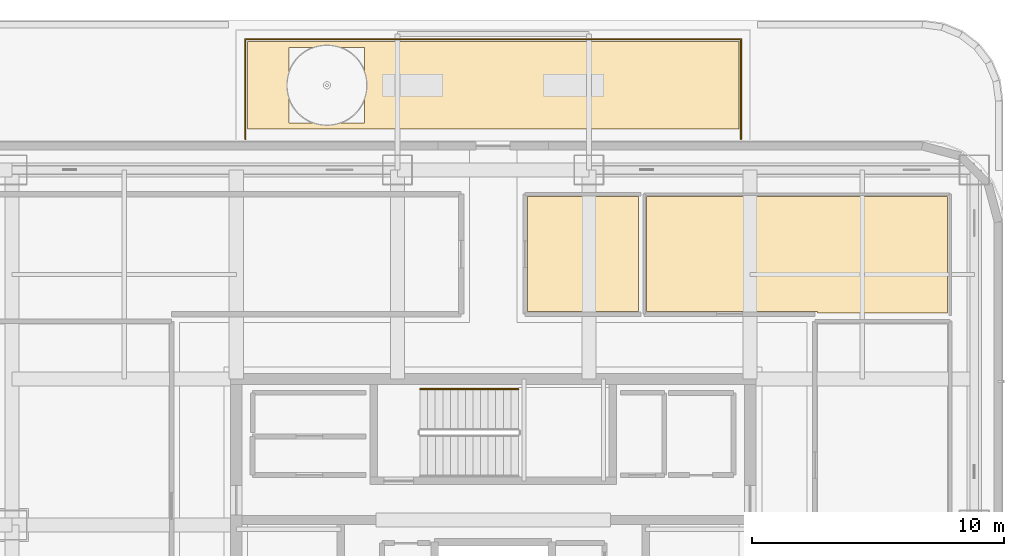
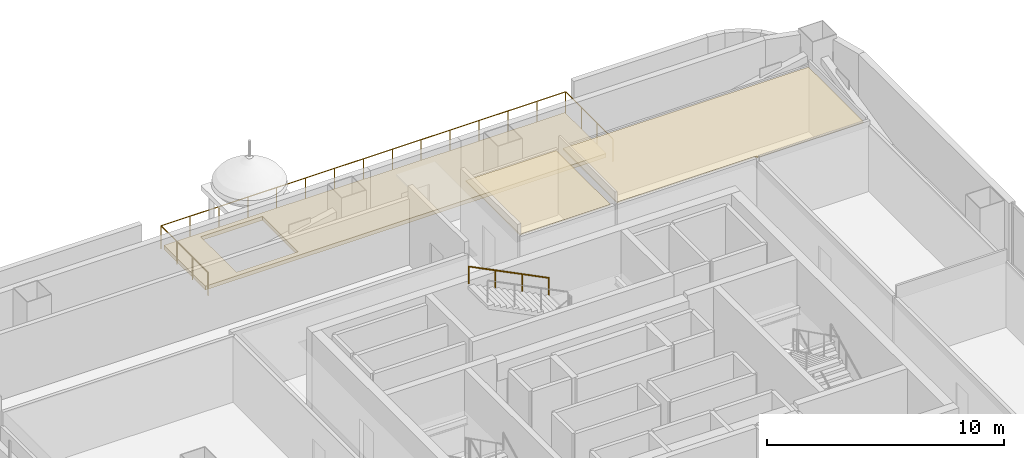
# One storey, part 27 of 28: 3 coverings, 2 railings.
"""IFC4 building model written with IfcOpenShell, lengths in metres."""

from ifc_helpers import new_model, si_unit, direction, frame, origin, origin_2d, place, context, subcontext, project, spatial, polyline, circle, outline, extrude, material, layer, layer_set, type_object, element, save


model = new_model("IFC4")

# Units and contexts
model_context = context("Model", 3, precision=1e-05, world=origin(), true_north=direction((0.0, 1.0)))
body_context = subcontext(model_context, "Body", "Model", "MODEL_VIEW")
ifc_project = project(units=[si_unit("LENGTHUNIT", "METRE"), si_unit("AREAUNIT", "SQUARE_METRE"), si_unit("VOLUMEUNIT", "CUBIC_METRE"), si_unit("PLANEANGLEUNIT", "RADIAN"), si_unit("MASSUNIT", "GRAM", prefix="KILO")], contexts=[model_context])

# Site, building, storey
site_placement = place(None, origin())
site = spatial("IfcSite", under=ifc_project, at=site_placement, CompositionType="ELEMENT")
building_placement = place(site_placement, origin())
building = spatial("IfcBuilding", under=site, at=building_placement, Name="Punatoya Terracotta Tower", CompositionType="ELEMENT")
storey_placement = place(building_placement, frame((0.0, 0.0, 317.39990234375)))
storey = spatial("IfcBuildingStorey", under=building, at=storey_placement, Name="L75", CompositionType="ELEMENT", Elevation=317.39990234375)

# Coverings
ifc_material_1 = material(Name="Acoustic Mineral Fibre Ceiling")
ifc_layer_1 = layer(ifc_material_1, 0.06005859375)
ifc_layer_set_1 = layer_set([ifc_layer_1], Name="Acoustic Mineral Fibre Ceiling")
covering_type_1 = type_object("IfcCoveringType", Name="COV-CEIL-60", PredefinedType="CEILING", material=ifc_layer_set_1)
covering_1_placement = place(storey_placement, frame((0.0, 0.0, 3.31005859375)))
element("IfcCovering", 1, at=covering_1_placement, inside=storey, type_object=covering_type_1, Name="L75 Editorial Conference Room Acoustic Ceiling", PredefinedType="CEILING", context=body_context, shape_type="SweptSolid", body=[
    extrude(outline(polyline([(6.093994140625, 11.8701171875), (12.8701171875, 11.8701171875), (12.8701171875, 11.81005859375), (18.0400390625, 11.81005859375), (18.0400390625, 16.43994140625), (6.093994140625, 16.43994140625), (6.093994140625, 11.8701171875)])), origin(), (0.0, 0.0, 1.0), 0.06005859375),
])
covering_2_placement = place(storey_placement, frame((0.0, 0.0, 3.31005859375)))
element("IfcCovering", 2, at=covering_2_placement, inside=storey, type_object=covering_type_1, Name="L75 Client Briefing Office Acoustic Ceiling", PredefinedType="CEILING", context=body_context, shape_type="SweptSolid", body=[
    extrude(outline(polyline([(1.3701171875, 11.8701171875), (5.77392578125, 11.8701171875), (5.77392578125, 16.43994140625), (1.3701171875, 16.43994140625), (1.3701171875, 11.8701171875)])), origin(), (0.0, 0.0, 1.0), 0.06005859375),
])
ifc_material_2 = material(Name="Green Roof Planting Soil Medium")
ifc_layer_2 = layer(ifc_material_2, 0.35009765625)
ifc_layer_set_2 = layer_set([ifc_layer_2], Name="Green Roof Planting Soil Medium")
covering_type_2 = type_object("IfcCoveringType", Name="COV-TER-350", PredefinedType="ROOFING", material=ifc_layer_set_2)
covering_3_placement = place(storey_placement, origin())
element("IfcCovering", 3, at=covering_3_placement, inside=storey, type_object=covering_type_2, Name="L75 L75 Spiralling Sky Terrace Planted Soil Bed", PredefinedType="ROOFING", context=body_context, shape_type="SweptSolid", body=[
    extrude(outline(polyline([(9.75, 22.60009765625), (9.75, 19.1201171875), (-9.75, 19.1201171875), (-9.75, 22.60009765625), (9.75, 22.60009765625)]), holes=[polyline([(-5.10009765625, 22.360107421875), (-8.10009765625, 22.360107421875), (-8.10009765625, 19.360107421875), (-5.10009765625, 19.360107421875), (-5.10009765625, 22.360107421875)])]), origin(), (0.0, 0.0, 1.0), 0.2001953125),
])

# Railings
ifc_material_3 = material(Name="Steel S355", Category="steel")
railing_type_1 = type_object("IfcRailingType", Name="RLG-BAL-1200", PredefinedType="BALUSTRADE", material=ifc_material_3)
railing_1_placement = place(storey_placement, frame((-9.840087890625, 18.719970703125, 0.0)))
element("IfcRailing", 4, at=railing_1_placement, inside=storey, type_object=railing_type_1, Name="L75 L75 Spiralling Sky Terrace Guardrail", PredefinedType="BALUSTRADE", context=body_context, shape_type="SweptSolid", body=[
    extrude(circle(Radius=0.02392578125, at=origin_2d()), frame((0.0, 0.0, 1.17578125), z_axis=(0.0, 1.0, 0.0), x_axis=(-1.0, 0.0, 0.0)), (0.0, 0.0, 1.0), 3.969970703125),
    extrude(circle(Radius=0.02392578125, at=origin_2d()), frame((0.0, 3.969970703125, 1.17578125), z_axis=(1.0, 0.0, 0.0), x_axis=(0.0, 1.0, 0.0)), (0.0, 0.0, 1.0), 19.68017578125),
    extrude(circle(Radius=0.02392578125, at=origin_2d()), frame((19.68017578125, 3.969970703125, 1.17578125), z_axis=(0.0, -1.0, 0.0), x_axis=(1.0, 0.0, 0.0)), (0.0, 0.0, 1.0), 3.969970703125),
    extrude(circle(Radius=0.02099609375, at=origin_2d()), origin(), (0.0, 0.0, 1.0), 1.15185546875),
    extrude(circle(Radius=0.02099609375, at=origin_2d()), frame((0.0, 1.3232421875, 0.0)), (0.0, 0.0, 1.0), 1.15185546875),
    extrude(circle(Radius=0.02099609375, at=origin_2d()), frame((0.0, 2.646728515625, 0.0)), (0.0, 0.0, 1.0), 1.15185546875),
    extrude(circle(Radius=0.02099609375, at=origin_2d()), frame((0.0, 3.969970703125, 0.0)), (0.0, 0.0, 1.0), 1.15185546875),
    extrude(circle(Radius=0.02099609375, at=origin_2d()), frame((1.40576171875, 3.969970703125, 0.0)), (0.0, 0.0, 1.0), 1.15185546875),
    extrude(circle(Radius=0.02099609375, at=origin_2d()), frame((2.8115234375, 3.969970703125, 0.0)), (0.0, 0.0, 1.0), 1.15185546875),
    extrude(circle(Radius=0.02099609375, at=origin_2d()), frame((4.21728515625, 3.969970703125, 0.0)), (0.0, 0.0, 1.0), 1.15185546875),
    extrude(circle(Radius=0.02099609375, at=origin_2d()), frame((5.622802734375, 3.969970703125, 0.0)), (0.0, 0.0, 1.0), 1.15185546875),
    extrude(circle(Radius=0.02099609375, at=origin_2d()), frame((7.028564453125, 3.969970703125, 0.0)), (0.0, 0.0, 1.0), 1.15185546875),
    extrude(circle(Radius=0.02099609375, at=origin_2d()), frame((8.434326171875, 3.969970703125, 0.0)), (0.0, 0.0, 1.0), 1.15185546875),
    extrude(circle(Radius=0.02099609375, at=origin_2d()), frame((9.840087890625, 3.969970703125, 0.0)), (0.0, 0.0, 1.0), 1.15185546875),
    extrude(circle(Radius=0.02099609375, at=origin_2d()), frame((11.245849609375, 3.969970703125, 0.0)), (0.0, 0.0, 1.0), 1.15185546875),
    extrude(circle(Radius=0.02099609375, at=origin_2d()), frame((12.651611328125, 3.969970703125, 0.0)), (0.0, 0.0, 1.0), 1.15185546875),
    extrude(circle(Radius=0.02099609375, at=origin_2d()), frame((14.057373046875, 3.969970703125, 0.0)), (0.0, 0.0, 1.0), 1.15185546875),
    extrude(circle(Radius=0.02099609375, at=origin_2d()), frame((15.462890625, 3.969970703125, 0.0)), (0.0, 0.0, 1.0), 1.15185546875),
    extrude(circle(Radius=0.02099609375, at=origin_2d()), frame((16.86865234375, 3.969970703125, 0.0)), (0.0, 0.0, 1.0), 1.15185546875),
    extrude(circle(Radius=0.02099609375, at=origin_2d()), frame((18.2744140625, 3.969970703125, 0.0)), (0.0, 0.0, 1.0), 1.15185546875),
    extrude(circle(Radius=0.02099609375, at=origin_2d()), frame((19.68017578125, 3.969970703125, 0.0)), (0.0, 0.0, 1.0), 1.15185546875),
    extrude(circle(Radius=0.02099609375, at=origin_2d()), frame((19.68017578125, 2.646728515625, 0.0)), (0.0, 0.0, 1.0), 1.15185546875),
    extrude(circle(Radius=0.02099609375, at=origin_2d()), frame((19.68017578125, 1.3232421875, 0.0)), (0.0, 0.0, 1.0), 1.15185546875),
    extrude(circle(Radius=0.02099609375, at=origin_2d()), frame((19.68017578125, 0.0, 0.0)), (0.0, 0.0, 1.0), 1.15185546875),
])
railing_type_2 = type_object("IfcRailingType", Name="RLG-HND-900", PredefinedType="HANDRAIL", material=ifc_material_3)
railing_2_placement = place(storey_placement, frame((1.0, 8.800048828125, 2.25)))
element("IfcRailing", 5, at=railing_2_placement, inside=storey, type_object=railing_type_2, Name="L75 ST-3 stair handrail 2", PredefinedType="HANDRAIL", context=body_context, shape_type="SweptSolid", body=[
    extrude(circle(Radius=0.02392578125, at=origin_2d()), frame((0.0, 0.0, 0.8759765625), z_axis=(-0.894404793364, 0.0, 0.447258387967), x_axis=(0.0, -1.0, 0.0)), (0.0, 0.0, 1.0), 4.3603515625),
    extrude(circle(Radius=0.02099609375, at=origin_2d()), origin(), (0.0, 0.0, 1.0), 0.851806640625),
    extrude(circle(Radius=0.02099609375, at=origin_2d()), frame((-1.300048828125, 0.0, 0.650146484375)), (0.0, 0.0, 1.0), 0.851806640625),
    extrude(circle(Radius=0.02099609375, at=origin_2d()), frame((-2.599853515625, 0.0, 1.300048828125)), (0.0, 0.0, 1.0), 0.851806640625),
    extrude(circle(Radius=0.02099609375, at=origin_2d()), frame((-3.89990234375, 0.0, 1.9501953125)), (0.0, 0.0, 1.0), 0.851806640625),
])

save(model, "model.ifc")
